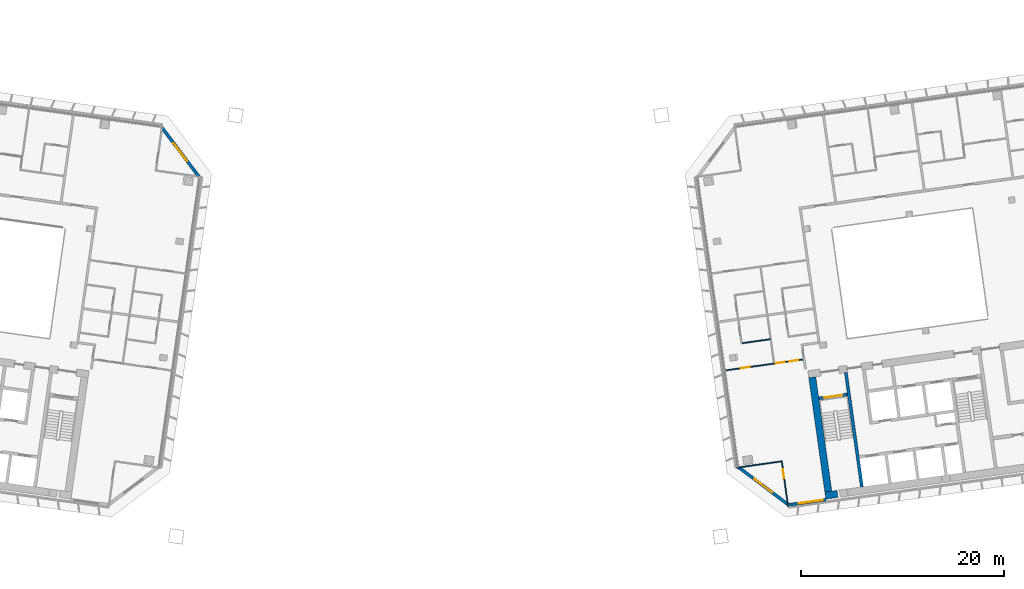
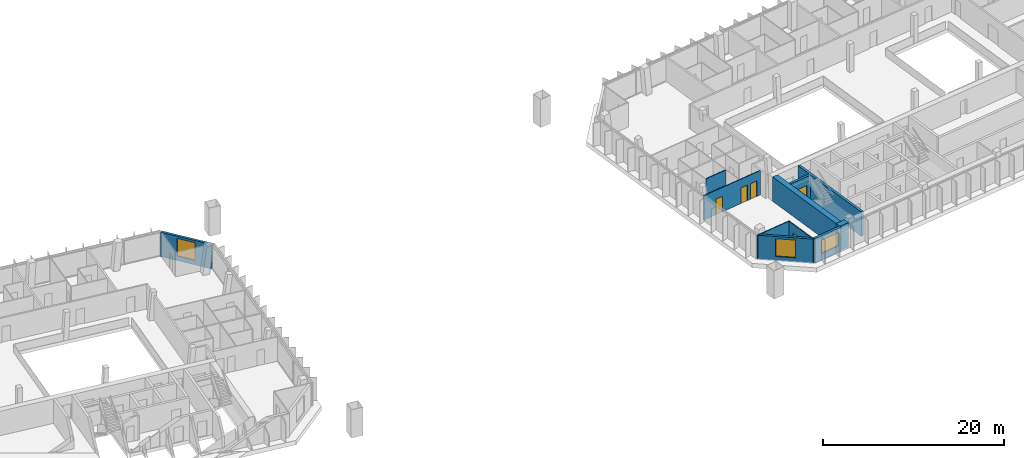
# One storey, part 19 of 29: 11 walls, 5 doors, 3 windows, 8 openings.
"""IFC4 building model written with IfcOpenShell, lengths in metres."""

from ifc_helpers import new_model, si_unit, direction, frame, frame_2d, origin, place, context, subcontext, project, spatial, rectangle, extrude, material, layer, layer_set, type_object, element, fill, save


model = new_model("IFC4")

# Units and contexts
model_context = context("Model", 3, precision=1e-05, world=origin(), true_north=direction((0.0, 1.0)))
body_context = subcontext(model_context, "Body", "Model", "MODEL_VIEW")
ifc_project = project(units=[si_unit("LENGTHUNIT", "METRE"), si_unit("AREAUNIT", "SQUARE_METRE"), si_unit("VOLUMEUNIT", "CUBIC_METRE"), si_unit("PLANEANGLEUNIT", "RADIAN"), si_unit("MASSUNIT", "GRAM", prefix="KILO")], contexts=[model_context])

# Site, building, storey
site_placement = place(None, origin())
site = spatial("IfcSite", under=ifc_project, at=site_placement, CompositionType="ELEMENT")
building_placement = place(site_placement, origin())
building = spatial("IfcBuilding", under=site, at=building_placement, Name="Mirante Cascada Hotel Towers", CompositionType="ELEMENT")
storey_placement = place(building_placement, frame((0.0, 0.0, 206.8)))
storey = spatial("IfcBuildingStorey", under=building, at=storey_placement, Name="L49", CompositionType="ELEMENT", Elevation=206.8)

# Wall
ifc_material_1 = material(Name="Plasterboard on metal studs")
ifc_layer_1 = layer(ifc_material_1, 0.1)
ifc_layer_set_1 = layer_set([ifc_layer_1], Name="Partition 100")
wall_type_1 = type_object("IfcWallType", Name="Partition 100", PredefinedType="PARTITIONING", material=ifc_layer_set_1)
wall_1_placement = place(storey_placement, frame((32.9719, -16.2248, 0.0), z_axis=(0.0, 0.0, 1.0), x_axis=(-0.9902661, -0.1391871, 0.0)))
element("IfcWall", 1, at=wall_1_placement, inside=storey, type_object=wall_type_1, Name="Wall 2-L49-01", PredefinedType="PARTITIONING", context=body_context, shape_type="SweptSolid", body=[
    extrude(rectangle(XDim=4.55, YDim=0.1, at=frame_2d((2.275, 0.0))), origin(), (0.0, 0.0, 1.0), 3.3),
])

# Wall, openings, doors
wall_2_placement = place(storey_placement, frame((27.1209, -7.2854, 0.0), z_axis=(0.0, 0.0, 1.0), x_axis=(0.9902685, 0.1391702, 0.0)))
wall_2 = element("IfcWall", 2, at=wall_2_placement, inside=storey, type_object=wall_type_1, Name="Wall 2-L49-02", PredefinedType="PARTITIONING", context=body_context, shape_type="SweptSolid", body=[
    extrude(rectangle(XDim=7.9866, YDim=0.1, at=frame_2d((3.9933, 0.0))), origin(), (0.0, 0.0, 1.0), 3.3),
])
opening_1_placement = place(wall_2_placement, frame((1.75, 0.0, 0.0)))
opening_1 = element("IfcOpeningElement", 3, at=opening_1_placement, cuts=wall_2, Name="Opening D2-L49-01", PredefinedType="OPENING", context=body_context, shape_type="SweptSolid", body=[
    extrude(rectangle(XDim=0.9, YDim=2.1, at=frame_2d((0.45, 1.05))), frame((0.0, 0.05, 0.0), z_axis=(0.0, -1.0, 0.0), x_axis=(1.0, 0.0, 0.0)), (0.0, 0.0, 1.0), 0.1),
])
opening_2_placement = place(wall_2_placement, frame((5.2434, 0.0, 0.0)))
opening_2 = element("IfcOpeningElement", 4, at=opening_2_placement, cuts=wall_2, Name="Opening D2-L49-02", PredefinedType="OPENING", context=body_context, shape_type="SweptSolid", body=[
    extrude(rectangle(XDim=0.9, YDim=2.1, at=frame_2d((0.45, 1.05))), frame((0.0, 0.05, 0.0), z_axis=(0.0, -1.0, 0.0), x_axis=(1.0, 0.0, 0.0)), (0.0, 0.0, 1.0), 0.1),
])
opening_3_placement = place(wall_2_placement, frame((6.59, 0.0, 0.0)))
opening_3 = element("IfcOpeningElement", 5, at=opening_3_placement, cuts=wall_2, Name="Opening D2-L49-03", PredefinedType="OPENING", context=body_context, shape_type="SweptSolid", body=[
    extrude(rectangle(XDim=0.9, YDim=2.1, at=frame_2d((0.45, 1.05))), frame((0.0, 0.05, 0.0), z_axis=(0.0, -1.0, 0.0), x_axis=(1.0, 0.0, 0.0)), (0.0, 0.0, 1.0), 0.1),
])
ifc_material_2 = material(Name="Timber door leaf", Category="wood")
door_type_1 = type_object("IfcDoorType", Name="Room door DG3 900x2100", OperationType="SINGLE_SWING_LEFT", PredefinedType="DOOR", material=ifc_material_2)
door_1_placement = place(opening_1_placement, frame((0.9, 0.0, 0.0), z_axis=(0.0, 0.0, 1.0), x_axis=(-1.0, 0.0, 0.0)))
door_1 = element("IfcDoor", 6, at=door_1_placement, inside=storey, type_object=door_type_1, Name="Door D2-L49-01", OperationType="SINGLE_SWING_RIGHT", OverallHeight=2.1, OverallWidth=0.9, PredefinedType="DOOR", context=body_context, shape_type="SweptSolid", body=[
    extrude(rectangle(XDim=0.9, YDim=2.1, at=frame_2d((0.45, 1.05))), frame((0.0, 0.025, 0.0), z_axis=(0.0, -1.0, 0.0), x_axis=(1.0, 0.0, 0.0)), (0.0, 0.0, 1.0), 0.05),
])
fill(opening_1, door_1)
door_2_placement = place(opening_2_placement, frame((0.9, 0.0, 0.0), z_axis=(0.0, 0.0, 1.0), x_axis=(-1.0, 0.0, 0.0)))
door_2 = element("IfcDoor", 7, at=door_2_placement, inside=storey, type_object=door_type_1, Name="Door D2-L49-02", OperationType="SINGLE_SWING_RIGHT", OverallHeight=2.1, OverallWidth=0.9, PredefinedType="DOOR", context=body_context, shape_type="SweptSolid", body=[
    extrude(rectangle(XDim=0.9, YDim=2.1, at=frame_2d((0.45, 1.05))), frame((0.0, 0.025, 0.0), z_axis=(0.0, -1.0, 0.0), x_axis=(1.0, 0.0, 0.0)), (0.0, 0.0, 1.0), 0.05),
])
fill(opening_2, door_2)
door_3_placement = place(opening_3_placement, frame((0.9, 0.0, 0.0), z_axis=(0.0, 0.0, 1.0), x_axis=(-1.0, 0.0, 0.0)))
door_3 = element("IfcDoor", 8, at=door_3_placement, inside=storey, type_object=door_type_1, Name="Door D2-L49-03", OperationType="SINGLE_SWING_RIGHT", OverallHeight=2.1, OverallWidth=0.9, PredefinedType="DOOR", context=body_context, shape_type="SweptSolid", body=[
    extrude(rectangle(XDim=0.9, YDim=2.1, at=frame_2d((0.45, 1.05))), frame((0.0, 0.025, 0.0), z_axis=(0.0, -1.0, 0.0), x_axis=(1.0, 0.0, 0.0)), (0.0, 0.0, 1.0), 0.05),
])
fill(opening_3, door_3)

# Wall
wall_3_placement = place(storey_placement, frame((29.0038, -4.5636, 0.0), z_axis=(0.0, 0.0, 1.0), x_axis=(0.990267, 0.139181, 0.0)))
element("IfcWall", 9, at=wall_3_placement, inside=storey, type_object=wall_type_1, Name="Wall 2-L49-06", PredefinedType="PARTITIONING", context=body_context, shape_type="SweptSolid", body=[
    extrude(rectangle(XDim=2.8, YDim=0.1, at=frame_2d((1.4, 0.0))), origin(), (0.0, 0.0, 1.0), 3.3),
])

# Wall, opening, door
wall_4_placement = place(storey_placement, frame((33.5487, -20.688, 0.0), z_axis=(0.0, 0.0, 1.0), x_axis=(-0.1391684, 0.9902687, 0.0)))
wall_4 = element("IfcWall", 10, at=wall_4_placement, inside=storey, type_object=wall_type_1, Name="Wall 2-L49-28", PredefinedType="PARTITIONING", context=body_context, shape_type="SweptSolid", body=[
    extrude(rectangle(XDim=4.45, YDim=0.1, at=frame_2d((2.225, 0.0))), origin(), (0.0, 0.0, 1.0), 3.3),
])
opening_4_placement = place(wall_4_placement, frame((2.8, 0.0, 0.0)))
opening_4 = element("IfcOpeningElement", 11, at=opening_4_placement, cuts=wall_4, Name="Opening D2-L49-21", PredefinedType="OPENING", context=body_context, shape_type="SweptSolid", body=[
    extrude(rectangle(XDim=0.9, YDim=2.1, at=frame_2d((0.45, 1.05))), frame((0.0, 0.05, 0.0), z_axis=(0.0, -1.0, 0.0), x_axis=(1.0, 0.0, 0.0)), (0.0, 0.0, 1.0), 0.1),
])
door_4_placement = place(opening_4_placement, origin())
door_4 = element("IfcDoor", 12, at=door_4_placement, inside=storey, type_object=door_type_1, Name="Door D2-L49-21", OperationType="SINGLE_SWING_LEFT", OverallHeight=2.1, OverallWidth=0.9, PredefinedType="DOOR", context=body_context, shape_type="SweptSolid", body=[
    extrude(rectangle(XDim=0.9, YDim=2.1, at=frame_2d((0.45, 1.05))), frame((0.0, 0.025, 0.0), z_axis=(0.0, -1.0, 0.0), x_axis=(1.0, 0.0, 0.0)), (0.0, 0.0, 1.0), 0.05),
])
fill(opening_4, door_4)

# Wall, opening, window
ifc_material_3 = material(Name="Precast concrete C40/50", Category="concrete")
ifc_layer_2 = layer(ifc_material_3, 0.3)
ifc_layer_set_2 = layer_set([ifc_layer_2], Name="Precast concrete C40/50 cladding wall 300")
wall_type_2 = type_object("IfcWallType", Name="Precast concrete C40/50 cladding wall 300", PredefinedType="STANDARD", material=ifc_layer_set_2)
wall_5_placement = place(storey_placement, frame((-28.3053, 16.7528, 0.0), z_axis=(0.0, 0.0, 1.0), x_axis=(0.6018245, -0.7986283, 0.0)))
wall_5 = element("IfcWall", 13, at=wall_5_placement, inside=storey, type_object=wall_type_2, Name="Corner cladding wall T1 L49 front inner", PredefinedType="STANDARD", context=body_context, shape_type="SweptSolid", body=[
    extrude(rectangle(XDim=6.1157, YDim=0.3, at=frame_2d((3.0578, 0.0))), origin(), (0.0, 0.0, 1.0), 3.3),
])
opening_5_placement = place(wall_5_placement, frame((1.9578, 0.0, 0.6)))
opening_5 = element("IfcOpeningElement", 14, at=opening_5_placement, cuts=wall_5, Name="Opening W1-49-04", PredefinedType="OPENING", context=body_context, shape_type="SweptSolid", body=[
    extrude(rectangle(XDim=2.2, YDim=2.4, at=frame_2d((1.1, 1.2))), frame((0.0, 0.15, 0.0), z_axis=(0.0, -1.0, 0.0), x_axis=(1.0, 0.0, 0.0)), (0.0, 0.0, 1.0), 0.3),
])
ifc_material_4 = material(Name="Aluminium frame with clear double glazing", Category="aluminium")
window_type_1 = type_object("IfcWindowType", Name="Corner suite window 2200x2400", PartitioningType="DOUBLE_PANEL_VERTICAL", PredefinedType="WINDOW", material=ifc_material_4)
window_1_placement = place(opening_5_placement, origin())
window_1 = element("IfcWindow", 15, at=window_1_placement, inside=storey, type_object=window_type_1, Name="Window W1-49-04", OverallHeight=2.4, OverallWidth=2.2, PartitioningType="SINGLE_PANEL", PredefinedType="WINDOW", context=body_context, shape_type="SweptSolid", body=[
    extrude(rectangle(XDim=2.2, YDim=2.4, at=frame_2d((1.1, 1.2))), frame((0.0, 0.03, 0.0), z_axis=(0.0, -1.0, 0.0), x_axis=(1.0, 0.0, 0.0)), (0.0, 0.0, 1.0), 0.06),
])
fill(opening_5, window_1)

wall_6_placement = place(storey_placement, frame((33.6508, -20.5222, 0.0), z_axis=(0.0, 0.0, 1.0), x_axis=(0.9902653, 0.1391925, 0.0)))
wall_6 = element("IfcWall", 16, at=wall_6_placement, inside=storey, type_object=wall_type_2, Name="Rear cladding wall T2 L49 1", PredefinedType="STANDARD", context=body_context, shape_type="SweptSolid", body=[
    extrude(rectangle(XDim=3.6626, YDim=0.3, at=frame_2d((1.8313, 0.0))), origin(), (0.0, 0.0, 1.0), 3.3),
])
opening_6_placement = place(wall_6_placement, frame((0.9408, 0.0, 0.9)))
opening_6 = element("IfcOpeningElement", 17, at=opening_6_placement, cuts=wall_6, Name="Opening W2-49-01", PredefinedType="OPENING", context=body_context, shape_type="SweptSolid", body=[
    extrude(rectangle(XDim=2.4, YDim=1.8, at=frame_2d((1.2, 0.9))), frame((0.0, 0.15, 0.0), z_axis=(0.0, -1.0, 0.0), x_axis=(1.0, 0.0, 0.0)), (0.0, 0.0, 1.0), 0.3),
])
ifc_material_5 = material(Name="Aluminium frame with clear double glazing", Category="aluminium")
window_type_2 = type_object("IfcWindowType", Name="Punched window 2400x1800", PartitioningType="DOUBLE_PANEL_VERTICAL", PredefinedType="WINDOW", material=ifc_material_5)
window_2_placement = place(opening_6_placement, origin())
window_2 = element("IfcWindow", 18, at=window_2_placement, inside=storey, type_object=window_type_2, Name="Window W2-49-01", OverallHeight=1.8, OverallWidth=2.4, PartitioningType="SINGLE_PANEL", PredefinedType="WINDOW", context=body_context, shape_type="SweptSolid", body=[
    extrude(rectangle(XDim=2.4, YDim=1.8, at=frame_2d((1.2, 0.9))), frame((0.0, 0.03, 0.0), z_axis=(0.0, -1.0, 0.0), x_axis=(1.0, 0.0, 0.0)), (0.0, 0.0, 1.0), 0.06),
])
fill(opening_6, window_2)

wall_7_placement = place(storey_placement, frame((28.6557, -16.813, 0.0), z_axis=(0.0, 0.0, 1.0), x_axis=(0.7986362, -0.6018141, 0.0)))
wall_7 = element("IfcWall", 19, at=wall_7_placement, inside=storey, type_object=wall_type_2, Name="Corner cladding wall T2 L49 inner rear", PredefinedType="STANDARD", context=body_context, shape_type="SweptSolid", body=[
    extrude(rectangle(XDim=6.1157, YDim=0.3, at=frame_2d((3.0578, 0.0))), origin(), (0.0, 0.0, 1.0), 3.3),
])
opening_7_placement = place(wall_7_placement, frame((1.9578, 0.0, 0.6)))
opening_7 = element("IfcOpeningElement", 20, at=opening_7_placement, cuts=wall_7, Name="Opening W2-49-05", PredefinedType="OPENING", context=body_context, shape_type="SweptSolid", body=[
    extrude(rectangle(XDim=2.2, YDim=2.4, at=frame_2d((1.1, 1.2))), frame((0.0, 0.15, 0.0), z_axis=(0.0, -1.0, 0.0), x_axis=(1.0, 0.0, 0.0)), (0.0, 0.0, 1.0), 0.3),
])
window_3_placement = place(opening_7_placement, origin())
window_3 = element("IfcWindow", 21, at=window_3_placement, inside=storey, type_object=window_type_1, Name="Window W2-49-05", OverallHeight=2.4, OverallWidth=2.2, PartitioningType="SINGLE_PANEL", PredefinedType="WINDOW", context=body_context, shape_type="SweptSolid", body=[
    extrude(rectangle(XDim=2.2, YDim=2.4, at=frame_2d((1.1, 1.2))), frame((0.0, 0.03, 0.0), z_axis=(0.0, -1.0, 0.0), x_axis=(1.0, 0.0, 0.0)), (0.0, 0.0, 1.0), 0.06),
])
fill(opening_7, window_3)

# Wall
ifc_material_6 = material(Name="Concrete C50/60", Category="concrete")
ifc_layer_3 = layer(ifc_material_6, 0.3)
ifc_layer_set_3 = layer_set([ifc_layer_3], Name="RC core wall 300 C50/60")
wall_type_3 = type_object("IfcWallType", Name="RC core wall 300 C50/60", PredefinedType="SHEAR", material=ifc_layer_set_3)
wall_8_placement = place(storey_placement, frame((40.8373, -18.7548, 0.0), z_axis=(0.0, 0.0, 1.0), x_axis=(-0.1391749, 0.9902678, 0.0)))
element("IfcWall", 22, at=wall_8_placement, inside=storey, type_object=wall_type_3, Name="Core wall T2:L49:5", PredefinedType="SHEAR", context=body_context, shape_type="SweptSolid", body=[
    extrude(rectangle(XDim=11.4, YDim=0.3, at=frame_2d((5.7, 0.0))), origin(), (0.0, 0.0, 1.0), 3.3),
])

# Wall, opening, door
wall_9_placement = place(storey_placement, frame((36.5791, -10.0123, 0.0), z_axis=(0.0, 0.0, 1.0), x_axis=(0.9902704, 0.1391564, 0.0)))
wall_9 = element("IfcWall", 23, at=wall_9_placement, inside=storey, type_object=wall_type_3, Name="Core wall T2:L49:8", PredefinedType="SHEAR", context=body_context, shape_type="SweptSolid", body=[
    extrude(rectangle(XDim=2.85, YDim=0.3, at=frame_2d((1.425, 0.0))), origin(), (0.0, 0.0, 1.0), 3.3),
])
opening_8_placement = place(wall_9_placement, frame((0.525, 0.0, 0.0)))
opening_8 = element("IfcOpeningElement", 24, at=opening_8_placement, cuts=wall_9, Name="Opening D2-49-C07", PredefinedType="OPENING", context=body_context, shape_type="SweptSolid", body=[
    extrude(rectangle(XDim=1.8, YDim=2.1, at=frame_2d((0.9, 1.05))), frame((0.0, 0.15, 0.0), z_axis=(0.0, -1.0, 0.0), x_axis=(1.0, 0.0, 0.0)), (0.0, 0.0, 1.0), 0.3),
])
ifc_material_7 = material(Name="Hollow metal fire door leaf")
door_type_2 = type_object("IfcDoorType", Name="Double fire door 1800x2100 FD60", OperationType="DOUBLE_DOOR_SINGLE_SWING", PredefinedType="DOOR", material=ifc_material_7)
door_5_placement = place(opening_8_placement, frame((1.8, 0.0, 0.0), z_axis=(0.0, 0.0, 1.0), x_axis=(-1.0, 0.0, 0.0)))
door_5 = element("IfcDoor", 25, at=door_5_placement, inside=storey, type_object=door_type_2, Name="Stair door T2 L49 7", OperationType="DOUBLE_DOOR_SINGLE_SWING", OverallHeight=2.1, OverallWidth=1.8, PredefinedType="DOOR", context=body_context, shape_type="SweptSolid", body=[
    extrude(rectangle(XDim=0.895, YDim=2.1, at=frame_2d((0.4475, 1.05))), frame((0.0, 0.025, 0.0), z_axis=(0.0, -1.0, 0.0), x_axis=(1.0, 0.0, 0.0)), (0.0, 0.0, 1.0), 0.05),
    extrude(rectangle(XDim=0.895, YDim=2.1, at=frame_2d((1.3525, 1.05))), frame((0.0, 0.025, 0.0), z_axis=(0.0, -1.0, 0.0), x_axis=(1.0, 0.0, 0.0)), (0.0, 0.0, 1.0), 0.05),
])
fill(opening_8, door_5)

# Walls
ifc_material_8 = material(Name="Concrete C50/60", Category="concrete")
ifc_layer_4 = layer(ifc_material_8, 0.7)
ifc_layer_set_4 = layer_set([ifc_layer_4], Name="RC core wall 700 C50/60")
wall_type_4 = type_object("IfcWallType", Name="RC core wall 700 C50/60", PredefinedType="SHEAR", material=ifc_layer_set_4)
wall_10_placement = place(storey_placement, frame((37.222, -19.6163, 0.0), z_axis=(0.0, 0.0, 1.0), x_axis=(0.9902683, 0.1391715, 0.0)))
element("IfcWall", 26, at=wall_10_placement, inside=storey, type_object=wall_type_4, Name="Core wall T2:L49:1.1", PredefinedType="SHEAR", context=body_context, shape_type="SweptSolid", body=[
    extrude(rectangle(XDim=1.2136, YDim=0.7, at=frame_2d((0.6068, 0.0))), origin(), (0.0, 0.0, 1.0), 3.3),
])
wall_11_placement = place(storey_placement, frame((37.5199, -19.221, 0.0), z_axis=(0.0, 0.0, 1.0), x_axis=(-0.1391761, 0.9902677, 0.0)))
element("IfcWall", 27, at=wall_11_placement, inside=storey, type_object=wall_type_4, Name="Core wall T2:L49:3", PredefinedType="SHEAR", context=body_context, shape_type="SweptSolid", body=[
    extrude(rectangle(XDim=11.3999, YDim=0.7, at=frame_2d((5.7, 0.0))), origin(), (0.0, 0.0, 1.0), 3.3),
])

save(model, "model.ifc")
